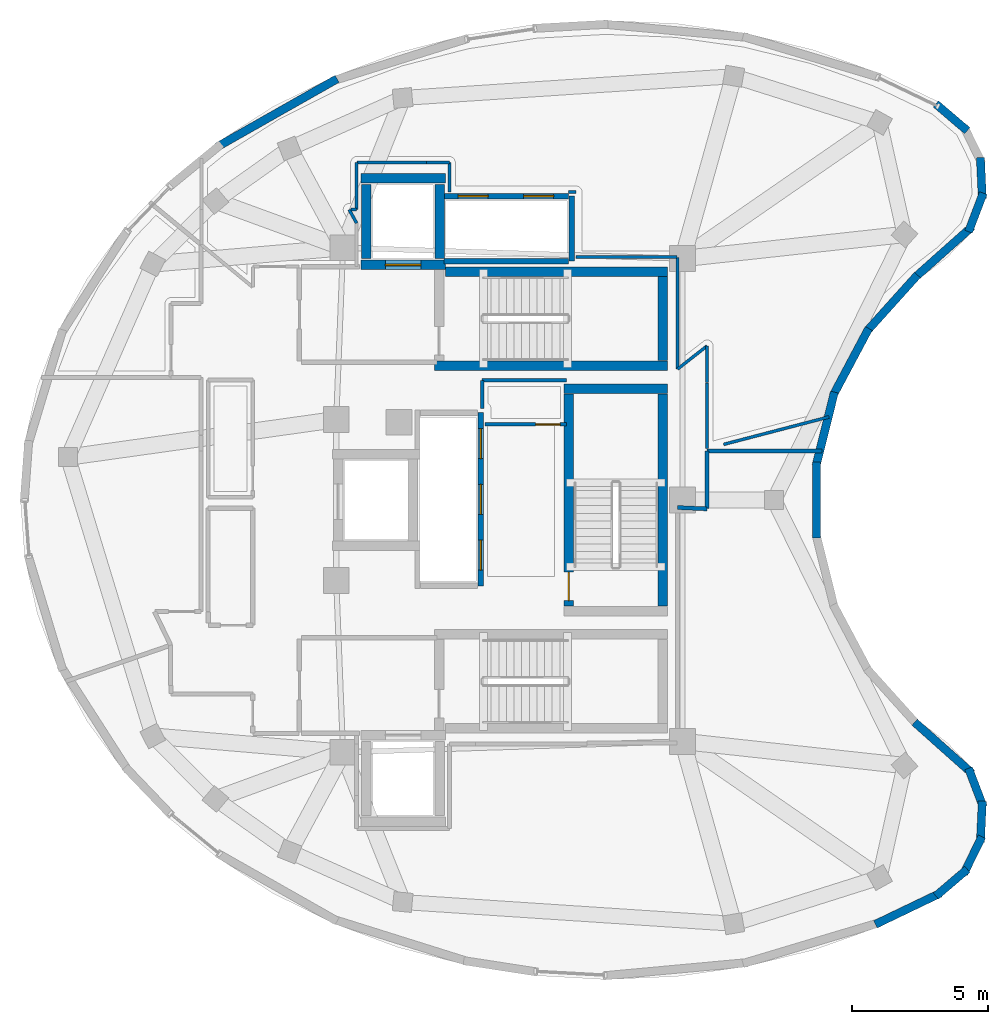
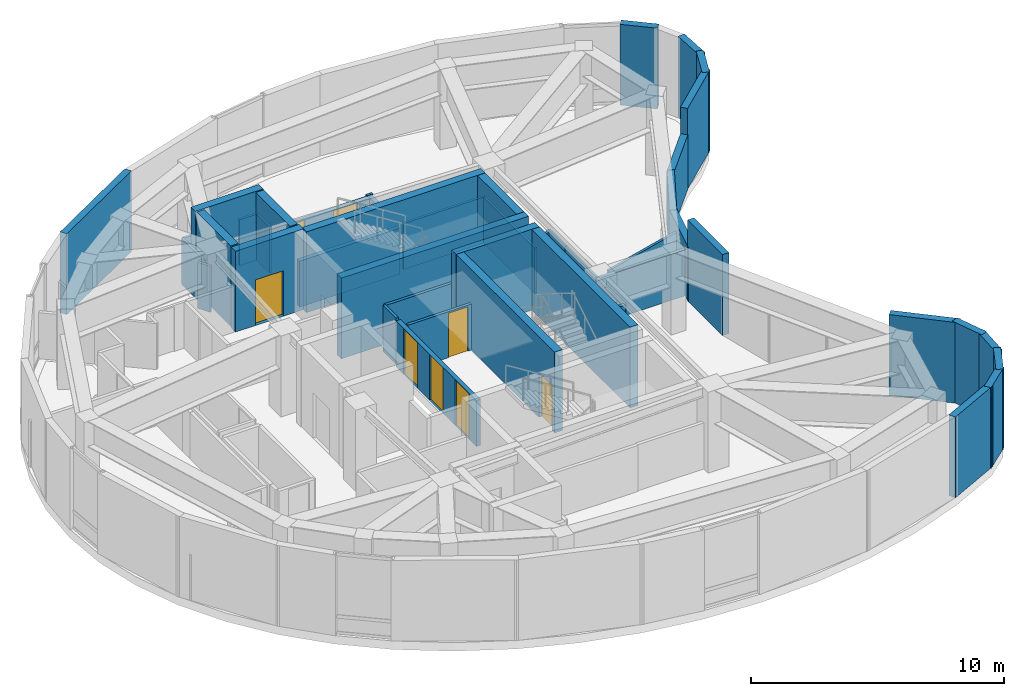
# One storey, part 5 of 8: 48 walls, 8 doors, 8 openings.
"""IFC4 building model written with IfcOpenShell, lengths in metres."""

from ifc_helpers import new_model, si_unit, direction, frame, frame_2d, origin, place, context, subcontext, project, spatial, rectangle, extrude, material, layer, layer_set, type_object, element, fill, save


model = new_model("IFC4")

# Units and contexts
model_context = context("Model", 3, precision=1e-05, world=origin(), true_north=direction((0.0, 1.0)))
body_context = subcontext(model_context, "Body", "Model", "MODEL_VIEW")
ifc_project = project(units=[si_unit("LENGTHUNIT", "METRE"), si_unit("AREAUNIT", "SQUARE_METRE"), si_unit("VOLUMEUNIT", "CUBIC_METRE"), si_unit("PLANEANGLEUNIT", "RADIAN"), si_unit("MASSUNIT", "GRAM", prefix="KILO")], contexts=[model_context])

# Site, building, storey
site_placement = place(None, origin())
site = spatial("IfcSite", under=ifc_project, at=site_placement, CompositionType="ELEMENT")
building_placement = place(site_placement, origin())
building = spatial("IfcBuilding", under=site, at=building_placement, Name="Korentha Bioscience Tower", CompositionType="ELEMENT")
storey_placement = place(building_placement, frame((0.0, 0.0, 322.800048828125)))
storey = spatial("IfcBuildingStorey", under=building, at=storey_placement, Name="L74", CompositionType="ELEMENT", Elevation=322.800048828125)

# Walls
ifc_material_1 = material(Name="Double-Stud Acoustic Gypsum", Category="gypsum")
ifc_layer_1 = layer(ifc_material_1, 0.14990234375, Name="Double-Stud Acoustic Gypsum")
ifc_layer_set_1 = layer_set([ifc_layer_1], Name="Double-Stud Acoustic Gypsum (IW-L150)")
wall_type_1 = type_object("IfcWallType", Name="Acoustic Laboratory Partition Wall 150", PredefinedType="PARTITIONING", material=ifc_layer_set_1)
wall_1_placement = place(storey_placement, frame((37.360107421875, 26.723876953125, 0.0), z_axis=(0.0, 0.0, 1.0), x_axis=(0.998993361773, -0.044858256029, 0.0)))
element("IfcWall", 1, at=wall_1_placement, inside=storey, type_object=wall_type_1, Name="L74 Interior Partition 033", PredefinedType="PARTITIONING", context=body_context, shape_type="SweptSolid", body=[
    extrude(rectangle(XDim=1.08837890625, YDim=0.14990234375, at=frame_2d((0.544189453125, 0.0))), origin(), (0.0, 0.0, 1.0), 2.219970703125),
])
wall_2_placement = place(storey_placement, frame((38.451904296875, 26.67919921875, 0.0), z_axis=(0.0, 0.0, 1.0), x_axis=(0.0, 1.0, 0.0)))
element("IfcWall", 2, at=wall_2_placement, inside=storey, type_object=wall_type_1, Name="L74 Interior Partition 034", PredefinedType="PARTITIONING", context=body_context, shape_type="SweptSolid", body=[
    extrude(rectangle(XDim=2.11865234375, YDim=0.14990234375, at=frame_2d((1.059326171875, 0.0))), origin(), (0.0, 0.0, 1.0), 2.219970703125),
])
wall_3_placement = place(storey_placement, frame((38.4521484375, 28.798095703125, 0.0), z_axis=(0.0, 0.0, 1.0), x_axis=(1.0, 0.0, 0.0)))
element("IfcWall", 3, at=wall_3_placement, inside=storey, type_object=wall_type_1, Name="L74 Interior Partition 035", PredefinedType="PARTITIONING", context=body_context, shape_type="SweptSolid", body=[
    extrude(rectangle(XDim=4.214599609375, YDim=0.14990234375, at=frame_2d((2.107421875, 0.0))), origin(), (0.0, 0.0, 1.0), 2.219970703125),
])
ifc_material_2 = material(Name="Fire-Rated Framed Glass", Category="glass")
ifc_layer_2 = layer(ifc_material_2, 0.110107421875, Name="Fire-Rated Framed Glass")
ifc_layer_set_2 = layer_set([ifc_layer_2], Name="Fire-Rated Framed Glass (IW-G110)")
wall_type_2 = type_object("IfcWallType", Name="Demountable Glazed Office Partition 110", PredefinedType="MOVABLE", material=ifc_layer_set_2)
wall_4_placement = place(storey_placement, frame((42.91748046875, 30.04638671875, 0.0), z_axis=(0.0, 0.0, 1.0), x_axis=(-0.967606885101, -0.252461711761, 0.0)))
element("IfcWall", 4, at=wall_4_placement, inside=storey, type_object=wall_type_2, Name="L74 Interior Partition 037", PredefinedType="MOVABLE", context=body_context, shape_type="SweptSolid", body=[
    extrude(rectangle(XDim=3.993896484375, YDim=0.110107421875, at=frame_2d((1.9970703125, 0.0))), origin(), (0.0, 0.0, 1.0), 2.219970703125),
])
wall_5_placement = place(storey_placement, frame((38.451904296875, 28.88134765625, 0.0), z_axis=(0.0, 0.0, 1.0), x_axis=(0.0, 1.0, 0.0)))
element("IfcWall", 5, at=wall_5_placement, inside=storey, type_object=wall_type_2, Name="L74 Interior Partition 038", PredefinedType="MOVABLE", context=body_context, shape_type="SweptSolid", body=[
    extrude(rectangle(XDim=2.41650390625, YDim=0.110107421875, at=frame_2d((1.208251953125, 0.0))), origin(), (0.0, 0.0, 1.0), 2.219970703125),
])
wall_6_placement = place(storey_placement, frame((38.451904296875, 31.30224609375, 0.0), z_axis=(0.0, 0.0, 1.0), x_axis=(0.0, 1.0, 0.0)))
element("IfcWall", 6, at=wall_6_placement, inside=storey, type_object=wall_type_2, Name="L74 Interior Partition 039", PredefinedType="MOVABLE", context=body_context, shape_type="SweptSolid", body=[
    extrude(rectangle(XDim=1.34228515625, YDim=0.110107421875, at=frame_2d((0.671142578125, 0.0))), origin(), (0.0, 0.0, 1.0), 2.219970703125),
])
wall_7_placement = place(storey_placement, frame((38.4453125, 32.647705078125, 0.0), z_axis=(0.0, 0.0, 1.0), x_axis=(-0.786791054692, -0.617219439305, 0.0)))
element("IfcWall", 7, at=wall_7_placement, inside=storey, type_object=wall_type_2, Name="L74 Interior Partition 040", PredefinedType="MOVABLE", context=body_context, shape_type="SweptSolid", body=[
    extrude(rectangle(XDim=1.37939453125, YDim=0.110107421875, at=frame_2d((0.689697265625, 0.0))), origin(), (0.0, 0.0, 1.0), 2.219970703125),
])
wall_8_placement = place(storey_placement, frame((37.360107421875, 31.79638671875, 0.0), z_axis=(0.0, 0.0, 1.0), x_axis=(0.0, 1.0, 0.0)))
element("IfcWall", 8, at=wall_8_placement, inside=storey, type_object=wall_type_2, Name="L74 Interior Partition 041", PredefinedType="MOVABLE", context=body_context, shape_type="SweptSolid", body=[
    extrude(rectangle(XDim=4.103515625, YDim=0.110107421875, at=frame_2d((2.0517578125, 0.0))), origin(), (0.0, 0.0, 1.0), 2.219970703125),
])
wall_9_placement = place(storey_placement, frame((37.35009765625, 35.909912109375, 0.0), z_axis=(0.0, 0.0, 1.0), x_axis=(-1.0, 0.0, 0.0)))
element("IfcWall", 9, at=wall_9_placement, inside=storey, type_object=wall_type_2, Name="L74 Interior Partition 042", PredefinedType="MOVABLE", context=body_context, shape_type="SweptSolid", body=[
    extrude(rectangle(XDim=3.7001953125, YDim=0.110107421875, at=frame_2d((1.85009765625, 0.0))), origin(), (0.0, 0.0, 1.0), 2.219970703125),
])
wall_10_placement = place(storey_placement, frame((33.639892578125, 38.300048828125, 0.0), z_axis=(0.0, 0.0, 1.0), x_axis=(-1.0, 0.0, 0.0)))
element("IfcWall", 10, at=wall_10_placement, inside=storey, type_object=wall_type_2, Name="L74 Interior Partition 043", PredefinedType="MOVABLE", context=body_context, shape_type="SweptSolid", body=[
    extrude(rectangle(XDim=0.269775390625, YDim=0.110107421875, at=frame_2d((0.134765625, 0.0))), origin(), (0.0, 0.0, 1.0), 2.219970703125),
])
wall_11_placement = place(storey_placement, frame((29.0, 38.300048828125, 0.0), z_axis=(0.0, 0.0, 1.0), x_axis=(0.0, 1.0, 0.0)))
element("IfcWall", 11, at=wall_11_placement, inside=storey, type_object=wall_type_2, Name="L74 Interior Partition 044", PredefinedType="MOVABLE", context=body_context, shape_type="SweptSolid", body=[
    extrude(rectangle(XDim=1.075927734375, YDim=0.110107421875, at=frame_2d((0.5380859375, 0.0))), origin(), (0.0, 0.0, 1.0), 2.219970703125),
])
wall_12_placement = place(storey_placement, frame((28.995849609375, 39.3798828125, 0.0), z_axis=(0.0, 0.0, 1.0), x_axis=(-1.0, 0.0, 0.0)))
element("IfcWall", 12, at=wall_12_placement, inside=storey, type_object=wall_type_2, Name="L74 Interior Partition 045", PredefinedType="MOVABLE", context=body_context, shape_type="SweptSolid", body=[
    extrude(rectangle(XDim=0.83056640625, YDim=0.110107421875, at=frame_2d((0.415283203125, 0.0))), origin(), (0.0, 0.0, 1.0), 2.219970703125),
])
wall_13_placement = place(storey_placement, frame((28.160888671875, 39.3798828125, 0.0), z_axis=(0.0, 0.0, 1.0), x_axis=(-1.0, 0.0, 0.0)))
element("IfcWall", 13, at=wall_13_placement, inside=storey, type_object=wall_type_2, Name="L74 Interior Partition 046", PredefinedType="MOVABLE", context=body_context, shape_type="SweptSolid", body=[
    extrude(rectangle(XDim=2.556884765625, YDim=0.110107421875, at=frame_2d((1.2783203125, 0.0))), origin(), (0.0, 0.0, 1.0), 2.219970703125),
])
wall_14_placement = place(storey_placement, frame((25.60009765625, 39.3759765625, 0.0), z_axis=(0.0, 0.0, 1.0), x_axis=(0.0, -1.0, 0.0)))
element("IfcWall", 14, at=wall_14_placement, inside=storey, type_object=wall_type_2, Name="L74 Interior Partition 047", PredefinedType="MOVABLE", context=body_context, shape_type="SweptSolid", body=[
    extrude(rectangle(XDim=1.723876953125, YDim=0.110107421875, at=frame_2d((0.86181640625, 0.0))), origin(), (0.0, 0.0, 1.0), 2.219970703125),
])
wall_15_placement = place(storey_placement, frame((25.599853515625, 37.652099609375, 0.0), z_axis=(0.0, 0.0, 1.0), x_axis=(-1.0, 0.0, 0.0)))
element("IfcWall", 15, at=wall_15_placement, inside=storey, type_object=wall_type_2, Name="L74 Interior Partition 048", PredefinedType="MOVABLE", context=body_context, shape_type="SweptSolid", body=[
    extrude(rectangle(XDim=0.213134765625, YDim=0.110107421875, at=frame_2d((0.1064453125, 0.0))), origin(), (0.0, 0.0, 1.0), 2.219970703125),
])
wall_16_placement = place(storey_placement, frame((25.32373046875, 37.64599609375, 0.0), z_axis=(0.0, 0.0, 1.0), x_axis=(0.486336466737, -0.8737716184, 0.0)))
element("IfcWall", 16, at=wall_16_placement, inside=storey, type_object=wall_type_2, Name="L74 Interior Partition 049", PredefinedType="MOVABLE", context=body_context, shape_type="SweptSolid", body=[
    extrude(rectangle(XDim=0.56787109375, YDim=0.110107421875, at=frame_2d((0.283935546875, 0.0))), origin(), (0.0, 0.0, 1.0), 2.219970703125),
])
ifc_material_3 = material(Name="Honed Limestone Precast Concrete C40", Category="masonry")
ifc_layer_3 = layer(ifc_material_3, 0.300048828125, Name="Honed Limestone Precast Concrete C40")
ifc_layer_set_3 = layer_set([ifc_layer_3], Name="Honed Limestone Precast Concrete C40 (EW-ST300)")
wall_type_3 = type_object("IfcWallType", Name="Honed Limestone Cavity Spandrel Wall 300", PredefinedType="STANDARD", material=ifc_layer_set_3)
wall_17_placement = place(storey_placement, frame((24.8828125, 42.441650390625, 0.0), z_axis=(0.0, 0.0, 1.0), x_axis=(-0.869895003659, -0.493236943679, 0.0)))
element("IfcWall", 17, at=wall_17_placement, inside=storey, type_object=wall_type_3, Name="L74 Limestone Perimeter Closure Wall 10", PredefinedType="STANDARD", context=body_context, shape_type="SweptSolid", body=[
    extrude(rectangle(XDim=5.05126953125, YDim=0.300048828125, at=frame_2d((2.525634765625, 0.0))), origin(), (0.0, 0.0, 1.0), 3.89990234375),
])
wall_18_placement = place(storey_placement, frame((44.61767578125, 11.44140625, 0.0), z_axis=(0.0, 0.0, 1.0), x_axis=(0.901518731497, 0.43274007991, 0.0)))
element("IfcWall", 18, at=wall_18_placement, inside=storey, type_object=wall_type_3, Name="L74 Limestone Perimeter Closure Wall 36", PredefinedType="STANDARD", context=body_context, shape_type="SweptSolid", body=[
    extrude(rectangle(XDim=2.64208984375, YDim=0.300048828125, at=frame_2d((1.321044921875, 0.0))), origin(), (0.0, 0.0, 1.0), 3.89990234375),
])
wall_19_placement = place(storey_placement, frame((46.836181640625, 12.478515625, 0.0), z_axis=(0.0, 0.0, 1.0), x_axis=(0.760836293276, 0.64894386108, 0.0)))
element("IfcWall", 19, at=wall_19_placement, inside=storey, type_object=wall_type_3, Name="L74 Limestone Perimeter Closure Wall 37", PredefinedType="STANDARD", context=body_context, shape_type="SweptSolid", body=[
    extrude(rectangle(XDim=1.51416015625, YDim=0.300048828125, at=frame_2d((0.757080078125, 0.0))), origin(), (0.0, 0.0, 1.0), 3.89990234375),
])
for number, where, z_axis, x_axis, name in (
    (20, (47.857421875, 13.29248046875, 0.0), (0.0, 0.0, 1.0), (0.439652491549, 0.898167961283, 0.0), "L74 Limestone Perimeter Closure Wall 38"),
    (21, (48.47021484375, 14.44580078125, 0.0), (0.0, 0.0, 1.0), (0.045948834963, 0.998943794498, 0.0), "L74 Limestone Perimeter Closure Wall 39"),
    (22, (48.573486328125, 15.74755859375, 0.0), (0.0, 0.0, 1.0), (-0.35546567517, 0.934689335435, 0.0), "L74 Limestone Perimeter Closure Wall 40"),
):
    element("IfcWall", number, at=place(storey_placement, frame(where, z_axis=z_axis, x_axis=x_axis)), inside=storey, type_object=wall_type_3, Name=name, PredefinedType="STANDARD", context=body_context, shape_type="SweptSolid", body=[
        extrude(rectangle(XDim=1.514404296875, YDim=0.300048828125, at=frame_2d((0.75732421875, 0.0))), origin(), (0.0, 0.0, 1.0), 3.89990234375),
    ])
wall_20_placement = place(storey_placement, frame((48.160888671875, 16.980224609375, 0.0), z_axis=(0.0, 0.0, 1.0), x_axis=(-0.74683044211, 0.665014504156, 0.0)))
element("IfcWall", 23, at=wall_20_placement, inside=storey, type_object=wall_type_3, Name="L74 Limestone Perimeter Closure Wall 41", PredefinedType="STANDARD", context=body_context, shape_type="SweptSolid", body=[
    extrude(rectangle(XDim=2.81689453125, YDim=0.300048828125, at=frame_2d((1.408447265625, 0.0))), origin(), (0.0, 0.0, 1.0), 3.89990234375),
])
wall_21_placement = place(storey_placement, frame((42.460693359375, 25.61279296875, 0.0), z_axis=(0.0, 0.0, 1.0), x_axis=(0.0, 1.0, 0.0)))
element("IfcWall", 24, at=wall_21_placement, inside=storey, type_object=wall_type_3, Name="L74 Limestone Perimeter Closure Wall 49", PredefinedType="STANDARD", context=body_context, shape_type="SweptSolid", body=[
    extrude(rectangle(XDim=2.7744140625, YDim=0.300048828125, at=frame_2d((1.38720703125, 0.0))), origin(), (0.0, 0.0, 1.0), 3.89990234375),
])
wall_22_placement = place(storey_placement, frame((42.445556640625, 28.263427734375, 0.0), z_axis=(0.0, 0.0, 1.0), x_axis=(0.241914392704, 0.970297596927, 0.0)))
element("IfcWall", 25, at=wall_22_placement, inside=storey, type_object=wall_type_3, Name="L74 Limestone Perimeter Closure Wall 51", PredefinedType="STANDARD", context=body_context, shape_type="SweptSolid", body=[
    extrude(rectangle(XDim=2.7744140625, YDim=0.300048828125, at=frame_2d((1.38720703125, 0.0))), origin(), (0.0, 0.0, 1.0), 2.625),
])
wall_23_placement = place(storey_placement, frame((43.072021484375, 30.839111328125, 0.0), z_axis=(0.0, 0.0, 1.0), x_axis=(0.469496211135, 0.882934486658, 0.0)))
element("IfcWall", 26, at=wall_23_placement, inside=storey, type_object=wall_type_3, Name="L74 Limestone Perimeter Closure Wall 53", PredefinedType="STANDARD", context=body_context, shape_type="SweptSolid", body=[
    extrude(rectangle(XDim=2.774169921875, YDim=0.300048828125, at=frame_2d((1.38720703125, 0.0))), origin(), (0.0, 0.0, 1.0), 2.625),
])
wall_24_placement = place(storey_placement, frame((44.302978515625, 33.186279296875, 0.0), z_axis=(0.0, 0.0, 1.0), x_axis=(0.669091119289, 0.743180377895, 0.0)))
element("IfcWall", 27, at=wall_24_placement, inside=storey, type_object=wall_type_3, Name="L74 Limestone Perimeter Closure Wall 55", PredefinedType="STANDARD", context=body_context, shape_type="SweptSolid", body=[
    extrude(rectangle(XDim=2.774658203125, YDim=0.300048828125, at=frame_2d((1.38720703125, 0.0))), origin(), (0.0, 0.0, 1.0), 2.625),
])
wall_25_placement = place(storey_placement, frame((46.05712890625, 35.146484375, 0.0), z_axis=(0.0, 0.0, 1.0), x_axis=(0.74683044211, 0.665014504156, 0.0)))
element("IfcWall", 28, at=wall_25_placement, inside=storey, type_object=wall_type_3, Name="L74 Limestone Perimeter Closure Wall 57", PredefinedType="STANDARD", context=body_context, shape_type="SweptSolid", body=[
    extrude(rectangle(XDim=2.81689453125, YDim=0.300048828125, at=frame_2d((1.408447265625, 0.0))), origin(), (0.0, 0.0, 1.0), 3.89990234375),
])
for number, where, z_axis, x_axis, name in (
    (29, (48.03515625, 36.8369140625, 0.0), (0.0, 0.0, 1.0), (0.35546567517, 0.934689335435, 0.0), "L74 Limestone Perimeter Closure Wall 59"),
    (30, (48.539794921875, 38.04150390625, 0.0), (0.0, 0.0, 1.0), (-0.045948834963, 0.998943794498, 0.0), "L74 Limestone Perimeter Closure Wall 60"),
):
    element("IfcWall", number, at=place(storey_placement, frame(where, z_axis=z_axis, x_axis=x_axis)), inside=storey, type_object=wall_type_3, Name=name, PredefinedType="STANDARD", context=body_context, shape_type="SweptSolid", body=[
        extrude(rectangle(XDim=1.514404296875, YDim=0.300048828125, at=frame_2d((0.75732421875, 0.0))), origin(), (0.0, 0.0, 1.0), 3.89990234375),
    ])
wall_26_placement = place(storey_placement, frame((47.98828125, 40.538818359375, 0.0), z_axis=(0.0, 0.0, 1.0), x_axis=(-0.760836293276, 0.64894386108, 0.0)))
element("IfcWall", 31, at=wall_26_placement, inside=storey, type_object=wall_type_3, Name="L74 Limestone Perimeter Closure Wall 62", PredefinedType="STANDARD", context=body_context, shape_type="SweptSolid", body=[
    extrude(rectangle(XDim=1.51416015625, YDim=0.300048828125, at=frame_2d((0.757080078125, 0.0))), origin(), (0.0, 0.0, 1.0), 3.89990234375),
])

# Wall, openings, doors
ifc_material_4 = material(Name="Autoclaved Aerated Concrete Block C25", Category="concrete")
ifc_layer_4 = layer(ifc_material_4, 0.199951171875, Name="Autoclaved Aerated Concrete Block C25")
ifc_layer_set_4 = layer_set([ifc_layer_4], Name="Autoclaved Aerated Concrete Block C25 (IW-S200)")
wall_type_4 = type_object("IfcWallType", Name="Lift and Riser Shaft Enclosure Wall 200", PredefinedType="PARTITIONING", material=ifc_layer_set_4)
wall_27_placement = place(storey_placement, frame((30.14990234375, 23.85009765625, 0.0), z_axis=(0.0, 0.0, 1.0), x_axis=(0.0, 1.0, 0.0)))
wall_27 = element("IfcWall", 32, at=wall_27_placement, inside=storey, type_object=wall_type_4, Name="L74 Lift Bank HIGH Shaft Wall +X", PredefinedType="PARTITIONING", context=body_context, shape_type="SweptSolid", body=[
    extrude(rectangle(XDim=6.349853515625, YDim=0.199951171875, at=frame_2d((3.1748046875, 0.0))), origin(), (0.0, 0.0, 1.0), 2.219970703125),
])
opening_1_placement = place(wall_27_placement, frame((0.580078125, 0.0, 0.0)))
opening_1 = element("IfcOpeningElement", 33, at=opening_1_placement, cuts=wall_27, Name="Opening LD-11", PredefinedType="OPENING", context=body_context, shape_type="SweptSolid", body=[
    extrude(rectangle(XDim=1.10009765625, YDim=2.199951171875, at=frame_2d((0.550048828125, 1.10009765625))), frame((0.0, 0.11474609375, 0.0), z_axis=(0.0, -1.0, 0.0), x_axis=(1.0, 0.0, 0.0)), (0.0, 0.0, 1.0), 0.229736328125),
])
opening_2_placement = place(wall_27_placement, frame((2.6201171875, 0.0, 0.0)))
opening_2 = element("IfcOpeningElement", 34, at=opening_2_placement, cuts=wall_27, Name="Opening LD-11", PredefinedType="OPENING", context=body_context, shape_type="SweptSolid", body=[
    extrude(rectangle(XDim=1.10009765625, YDim=2.199951171875, at=frame_2d((0.550048828125, 1.10009765625))), frame((0.0, 0.11474609375, 0.0), z_axis=(0.0, -1.0, 0.0), x_axis=(1.0, 0.0, 0.0)), (0.0, 0.0, 1.0), 0.229736328125),
])
opening_3_placement = place(wall_27_placement, frame((4.669921875, 0.0, 0.0)))
opening_3 = element("IfcOpeningElement", 35, at=opening_3_placement, cuts=wall_27, Name="Opening LD-11", PredefinedType="OPENING", context=body_context, shape_type="SweptSolid", body=[
    extrude(rectangle(XDim=1.10009765625, YDim=2.199951171875, at=frame_2d((0.550048828125, 1.10009765625))), frame((0.0, 0.11474609375, 0.0), z_axis=(0.0, -1.0, 0.0), x_axis=(1.0, 0.0, 0.0)), (0.0, 0.0, 1.0), 0.229736328125),
])
ifc_material_5 = material(Name="Brushed Stainless Steel 304", Category="steel")
door_type_1 = type_object("IfcDoorType", Name="Passenger Lift Sliding Landing Door 1100x2200", OperationType="DOUBLE_DOOR_SLIDING", PredefinedType="DOOR", material=ifc_material_5)
door_1_placement = place(opening_1_placement, origin())
door_1 = element("IfcDoor", 36, at=door_1_placement, inside=storey, type_object=door_type_1, Name="L74 PL-H1 Sliding Lift Landing Door", OperationType="DOUBLE_DOOR_SLIDING", OverallHeight=2.199951171875, OverallWidth=1.10009765625, PredefinedType="DOOR", context=body_context, shape_type="SweptSolid", body=[
    extrude(rectangle(XDim=1.10009765625, YDim=2.199951171875, at=frame_2d((0.550048828125, 1.10009765625))), frame((0.0, 0.02490234375, 0.0), z_axis=(0.0, -1.0, 0.0), x_axis=(1.0, 0.0, 0.0)), (0.0, 0.0, 1.0), 0.050048828125),
])
fill(opening_1, door_1)
door_2_placement = place(opening_2_placement, origin())
door_2 = element("IfcDoor", 37, at=door_2_placement, inside=storey, type_object=door_type_1, Name="L74 PL-H2 Sliding Lift Landing Door", OperationType="DOUBLE_DOOR_SLIDING", OverallHeight=2.199951171875, OverallWidth=1.10009765625, PredefinedType="DOOR", context=body_context, shape_type="SweptSolid", body=[
    extrude(rectangle(XDim=1.10009765625, YDim=2.199951171875, at=frame_2d((0.550048828125, 1.10009765625))), frame((0.0, 0.02490234375, 0.0), z_axis=(0.0, -1.0, 0.0), x_axis=(1.0, 0.0, 0.0)), (0.0, 0.0, 1.0), 0.050048828125),
])
fill(opening_2, door_2)
door_3_placement = place(opening_3_placement, origin())
door_3 = element("IfcDoor", 38, at=door_3_placement, inside=storey, type_object=door_type_1, Name="L74 PL-H3 Sliding Lift Landing Door", OperationType="DOUBLE_DOOR_SLIDING", OverallHeight=2.199951171875, OverallWidth=1.10009765625, PredefinedType="DOOR", context=body_context, shape_type="SweptSolid", body=[
    extrude(rectangle(XDim=1.10009765625, YDim=2.199951171875, at=frame_2d((0.550048828125, 1.10009765625))), frame((0.0, 0.02490234375, 0.0), z_axis=(0.0, -1.0, 0.0), x_axis=(1.0, 0.0, 0.0)), (0.0, 0.0, 1.0), 0.050048828125),
])
fill(opening_3, door_3)

# Walls
wall_28_placement = place(storey_placement, frame((33.489990234375, 35.760009765625, 0.0), z_axis=(0.0, 0.0, 1.0), x_axis=(0.0, 1.0, 0.0)))
element("IfcWall", 39, at=wall_28_placement, inside=storey, type_object=wall_type_4, Name="L74 Lift Bank OBS Shaft Wall +X", PredefinedType="PARTITIONING", context=body_context, shape_type="SweptSolid", body=[
    extrude(rectangle(XDim=2.3798828125, YDim=0.199951171875, at=frame_2d((1.18994140625, 0.0))), origin(), (0.0, 0.0, 1.0), 2.219970703125),
])
wall_29_placement = place(storey_placement, frame((28.800048828125, 35.760009765625, 0.0), z_axis=(0.0, 0.0, 1.0), x_axis=(1.0, 0.0, 0.0)))
element("IfcWall", 40, at=wall_29_placement, inside=storey, type_object=wall_type_4, Name="L74 Lift Bank OBS Shaft Wall -Y", PredefinedType="PARTITIONING", context=body_context, shape_type="SweptSolid", body=[
    extrude(rectangle(XDim=4.570068359375, YDim=0.199951171875, at=frame_2d((2.28515625, 0.0))), origin(), (0.0, 0.0, 1.0), 2.219970703125),
])

# Wall, openings, doors
wall_30_placement = place(storey_placement, frame((28.800048828125, 38.139892578125, 0.0), z_axis=(0.0, 0.0, 1.0), x_axis=(1.0, 0.0, 0.0)))
wall_30 = element("IfcWall", 41, at=wall_30_placement, inside=storey, type_object=wall_type_4, Name="L74 Lift Bank OBS Shaft Wall +Y", PredefinedType="PARTITIONING", context=body_context, shape_type="SweptSolid", body=[
    extrude(rectangle(XDim=4.570068359375, YDim=0.199951171875, at=frame_2d((2.28515625, 0.0))), origin(), (0.0, 0.0, 1.0), 2.219970703125),
])
opening_4_placement = place(wall_30_placement, frame((0.52001953125, 0.0, 0.0)))
opening_4 = element("IfcOpeningElement", 42, at=opening_4_placement, cuts=wall_30, Name="Opening LD-11", PredefinedType="OPENING", context=body_context, shape_type="SweptSolid", body=[
    extrude(rectangle(XDim=1.10009765625, YDim=2.199951171875, at=frame_2d((0.550048828125, 1.10009765625))), frame((0.0, 0.11474609375, 0.0), z_axis=(0.0, -1.0, 0.0), x_axis=(1.0, 0.0, 0.0)), (0.0, 0.0, 1.0), 0.229736328125),
])
opening_5_placement = place(wall_30_placement, frame((2.919921875, 0.0, 0.0)))
opening_5 = element("IfcOpeningElement", 43, at=opening_5_placement, cuts=wall_30, Name="Opening LD-11", PredefinedType="OPENING", context=body_context, shape_type="SweptSolid", body=[
    extrude(rectangle(XDim=1.10009765625, YDim=2.199951171875, at=frame_2d((0.550048828125, 1.10009765625))), frame((0.0, 0.11474609375, 0.0), z_axis=(0.0, -1.0, 0.0), x_axis=(1.0, 0.0, 0.0)), (0.0, 0.0, 1.0), 0.229736328125),
])
door_4_placement = place(opening_4_placement, origin())
door_4 = element("IfcDoor", 44, at=door_4_placement, inside=storey, type_object=door_type_1, Name="L74 PL-X1 Sliding Lift Landing Door", OperationType="DOUBLE_DOOR_SLIDING", OverallHeight=2.199951171875, OverallWidth=1.10009765625, PredefinedType="DOOR", context=body_context, shape_type="SweptSolid", body=[
    extrude(rectangle(XDim=1.10009765625, YDim=2.199951171875, at=frame_2d((0.550048828125, 1.10009765625))), frame((0.0, 0.02490234375, 0.0), z_axis=(0.0, -1.0, 0.0), x_axis=(1.0, 0.0, 0.0)), (0.0, 0.0, 1.0), 0.050048828125),
])
fill(opening_4, door_4)
door_5_placement = place(opening_5_placement, origin())
door_5 = element("IfcDoor", 45, at=door_5_placement, inside=storey, type_object=door_type_1, Name="L74 PL-X2 Sliding Lift Landing Door", OperationType="DOUBLE_DOOR_SLIDING", OverallHeight=2.199951171875, OverallWidth=1.10009765625, PredefinedType="DOOR", context=body_context, shape_type="SweptSolid", body=[
    extrude(rectangle(XDim=1.10009765625, YDim=2.199951171875, at=frame_2d((0.550048828125, 1.10009765625))), frame((0.0, 0.02490234375, 0.0), z_axis=(0.0, -1.0, 0.0), x_axis=(1.0, 0.0, 0.0)), (0.0, 0.0, 1.0), 0.050048828125),
])
fill(opening_5, door_5)

# Walls
ifc_material_6 = material(Name="Concrete C50", Category="concrete")
ifc_layer_5 = layer(ifc_material_6, 0.35009765625, Name="Concrete C50")
ifc_layer_set_5 = layer_set([ifc_layer_5], Name="Concrete C50 (CW-C50)")
wall_type_5 = type_object("IfcWallType", Name="Upper Core Shear Wall 350", PredefinedType="SHEAR", material=ifc_layer_set_5)
wall_31_placement = place(storey_placement, frame((28.85205078125, 35.375, 0.0), z_axis=(0.0, 0.0, 1.0), x_axis=(1.0, 0.0, 0.0)))
element("IfcWall", 46, at=wall_31_placement, inside=storey, type_object=wall_type_5, Name="L74 Core Shear Wall ST1-N", PredefinedType="SHEAR", context=body_context, shape_type="SweptSolid", body=[
    extrude(rectangle(XDim=8.14794921875, YDim=0.35009765625, at=frame_2d((4.073974609375, 0.0))), origin(), (0.0, 0.0, 1.0), 3.89990234375),
])
wall_32_placement = place(storey_placement, frame((28.449951171875, 31.925048828125, 0.0), z_axis=(0.0, 0.0, 1.0), x_axis=(1.0, 0.0, 0.0)))
element("IfcWall", 47, at=wall_32_placement, inside=storey, type_object=wall_type_5, Name="L74 Core Shear Wall ST1-S", PredefinedType="SHEAR", context=body_context, shape_type="SweptSolid", body=[
    extrude(rectangle(XDim=8.550048828125, YDim=0.35009765625, at=frame_2d((4.27490234375, 0.0))), origin(), (0.0, 0.0, 1.0), 3.89990234375),
])
wall_33_placement = place(storey_placement, frame((36.824951171875, 32.110107421875, 0.0), z_axis=(0.0, 0.0, 1.0), x_axis=(0.0, 1.0, 0.0)))
element("IfcWall", 48, at=wall_33_placement, inside=storey, type_object=wall_type_5, Name="L74 Core Shear Wall ST1-E", PredefinedType="SHEAR", context=body_context, shape_type="SweptSolid", body=[
    extrude(rectangle(XDim=3.079833984375, YDim=0.35009765625, at=frame_2d((1.5400390625, 0.0))), origin(), (0.0, 0.0, 1.0), 3.89990234375),
])
wall_34_placement = place(storey_placement, frame((33.199951171875, 31.074951171875, 0.0), z_axis=(0.0, 0.0, 1.0), x_axis=(1.0, 0.0, 0.0)))
element("IfcWall", 49, at=wall_34_placement, inside=storey, type_object=wall_type_5, Name="L74 Core Shear Wall ST3-N", PredefinedType="SHEAR", context=body_context, shape_type="SweptSolid", body=[
    extrude(rectangle(XDim=3.800048828125, YDim=0.35009765625, at=frame_2d((1.89990234375, 0.0))), origin(), (0.0, 0.0, 1.0), 3.89990234375),
])
wall_35_placement = place(storey_placement, frame((36.824951171875, 23.110107421875, 0.0), z_axis=(0.0, 0.0, 1.0), x_axis=(0.0, 1.0, 0.0)))
element("IfcWall", 50, at=wall_35_placement, inside=storey, type_object=wall_type_5, Name="L74 Core Shear Wall ST3-E", PredefinedType="SHEAR", context=body_context, shape_type="SweptSolid", body=[
    extrude(rectangle(XDim=7.77978515625, YDim=0.35009765625, at=frame_2d((3.889892578125, 0.0))), origin(), (0.0, 0.0, 1.0), 3.89990234375),
])

# Wall, opening, door
wall_36_placement = place(storey_placement, frame((33.375, 23.110107421875, 0.0), z_axis=(0.0, 0.0, 1.0), x_axis=(0.0, 1.0, 0.0)))
wall_36 = element("IfcWall", 51, at=wall_36_placement, inside=storey, type_object=wall_type_5, Name="L74 Core Shear Wall ST3-W", PredefinedType="SHEAR", context=body_context, shape_type="SweptSolid", body=[
    extrude(rectangle(XDim=7.77978515625, YDim=0.35009765625, at=frame_2d((3.889892578125, 0.0))), origin(), (0.0, 0.0, 1.0), 3.89990234375),
])
opening_6_placement = place(wall_36_placement, frame((0.199951171875, 0.0, 0.0)))
opening_6 = element("IfcOpeningElement", 52, at=opening_6_placement, cuts=wall_36, Name="Opening FD-90L", PredefinedType="OPENING", context=body_context, shape_type="SweptSolid", body=[
    extrude(rectangle(XDim=1.050048828125, YDim=2.14990234375, at=frame_2d((0.52490234375, 1.074951171875))), frame((0.0, 0.18994140625, 0.0), z_axis=(0.0, -1.0, 0.0), x_axis=(1.0, 0.0, 0.0)), (0.0, 0.0, 1.0), 0.3798828125),
])
ifc_material_7 = material(Name="Powder-Coated Fire-Rated Steel", Category="steel")
door_type_2 = type_object("IfcDoorType", Name="Stairwell Fire Exit Door 1050x2150 Left", OperationType="SINGLE_SWING_LEFT", PredefinedType="DOOR", material=ifc_material_7)
door_6_placement = place(opening_6_placement, origin())
door_6 = element("IfcDoor", 53, at=door_6_placement, inside=storey, type_object=door_type_2, Name="L74 ST-3 Fire Exit Stair Door", OperationType="SINGLE_SWING_LEFT", OverallHeight=2.14990234375, OverallWidth=1.050048828125, PredefinedType="DOOR", context=body_context, shape_type="SweptSolid", body=[
    extrude(rectangle(XDim=1.050048828125, YDim=2.14990234375, at=frame_2d((0.52490234375, 1.074951171875))), frame((0.0, 0.02490234375, 0.0), z_axis=(0.0, -1.0, 0.0), x_axis=(1.0, 0.0, 0.0)), (0.0, 0.0, 1.0), 0.050048828125),
])
fill(opening_6, door_6)

# Wall
wall_37_placement = place(storey_placement, frame((25.75, 38.800048828125, 0.0), z_axis=(0.0, 0.0, 1.0), x_axis=(1.0, 0.0, 0.0)))
element("IfcWall", 54, at=wall_37_placement, inside=storey, type_object=wall_type_5, Name="L74 Core Shear Wall FFL2-N", PredefinedType="SHEAR", context=body_context, shape_type="SweptSolid", body=[
    extrude(rectangle(XDim=3.10009765625, YDim=0.35009765625, at=frame_2d((1.550048828125, 0.0))), origin(), (0.0, 0.0, 1.0), 3.89990234375),
])

# Wall, opening, door
wall_38_placement = place(storey_placement, frame((25.75, 35.6201171875, 0.0), z_axis=(0.0, 0.0, 1.0), x_axis=(1.0, 0.0, 0.0)))
wall_38 = element("IfcWall", 55, at=wall_38_placement, inside=storey, type_object=wall_type_5, Name="L74 Core Shear Wall FFL2-S", PredefinedType="SHEAR", context=body_context, shape_type="SweptSolid", body=[
    extrude(rectangle(XDim=3.10009765625, YDim=0.35009765625, at=frame_2d((1.550048828125, 0.0))), origin(), (0.0, 0.0, 1.0), 3.89990234375),
])
opening_7_placement = place(wall_38_placement, frame((0.89990234375, 0.0, 0.0)))
opening_7 = element("IfcOpeningElement", 56, at=opening_7_placement, cuts=wall_38, Name="Opening LD-13", PredefinedType="OPENING", context=body_context, shape_type="SweptSolid", body=[
    extrude(rectangle(XDim=1.300048828125, YDim=2.199951171875, at=frame_2d((0.64990234375, 1.10009765625))), frame((0.0, 0.18994140625, 0.0), z_axis=(0.0, -1.0, 0.0), x_axis=(1.0, 0.0, 0.0)), (0.0, 0.0, 1.0), 0.3798828125),
])
ifc_material_8 = material(Name="Brushed Stainless Steel 316", Category="steel")
door_type_3 = type_object("IfcDoorType", Name="Service & Firefighting Lift Landing Door 1300x2300", OperationType="DOUBLE_DOOR_SLIDING", PredefinedType="DOOR", material=ifc_material_8)
door_7_placement = place(opening_7_placement, origin())
door_7 = element("IfcDoor", 57, at=door_7_placement, inside=storey, type_object=door_type_3, Name="L74 FFL-2 Sliding Lift Landing Door", OperationType="DOUBLE_DOOR_SLIDING", OverallHeight=2.199951171875, OverallWidth=1.300048828125, PredefinedType="DOOR", context=body_context, shape_type="SweptSolid", body=[
    extrude(rectangle(XDim=1.300048828125, YDim=2.199951171875, at=frame_2d((0.64990234375, 1.10009765625))), frame((0.0, 0.02490234375, 0.0), z_axis=(0.0, -1.0, 0.0), x_axis=(1.0, 0.0, 0.0)), (0.0, 0.0, 1.0), 0.050048828125),
])
fill(opening_7, door_7)

# Walls
for number, where, z_axis, x_axis, name in (
    (58, (25.949951171875, 35.860107421875, 0.0), (0.0, 0.0, 1.0), (0.0, 1.0, 0.0), "L74 Core Shear Wall FFL2-W"),
    (59, (28.64990234375, 35.860107421875, 0.0), (0.0, 0.0, 1.0), (0.0, 1.0, 0.0), "L74 Core Shear Wall FFL2-E"),
):
    element("IfcWall", number, at=place(storey_placement, frame(where, z_axis=z_axis, x_axis=x_axis)), inside=storey, type_object=wall_type_5, Name=name, PredefinedType="SHEAR", context=body_context, shape_type="SweptSolid", body=[
        extrude(rectangle(XDim=2.699951171875, YDim=0.35009765625, at=frame_2d((1.35009765625, 0.0))), origin(), (0.0, 0.0, 1.0), 3.89990234375),
    ])

# Wall, opening, door
ifc_material_9 = material(Name="Cement-Board Steel Stud", Category="steel")
ifc_layer_6 = layer(ifc_material_9, 0.1298828125, Name="Cement-Board Steel Stud")
ifc_layer_set_6 = layer_set([ifc_layer_6], Name="Cement-Board Steel Stud (IW-W130)")
wall_type_6 = type_object("IfcWallType", Name="Wet-Area Moisture-Resistant Partition 130", PredefinedType="PARTITIONING", material=ifc_layer_set_6)
wall_39_placement = place(storey_placement, frame((33.300048828125, 29.77001953125, 0.0), z_axis=(0.0, 0.0, 1.0), x_axis=(-1.0, 0.0, 0.0)))
wall_39 = element("IfcWall", 60, at=wall_39_placement, inside=storey, type_object=wall_type_6, Name="L74 Accessible Staff WC Entrance Wall", PredefinedType="PARTITIONING", context=body_context, shape_type="SweptSolid", body=[
    extrude(rectangle(XDim=2.989990234375, YDim=0.1298828125, at=frame_2d((1.4951171875, 0.0))), origin(), (0.0, 0.0, 1.0), 2.219970703125),
])
opening_8_placement = place(wall_39_placement, frame((0.239990234375, 0.0, 0.0)))
opening_8 = element("IfcOpeningElement", 61, at=opening_8_placement, cuts=wall_39, Name="Opening ID-09L", PredefinedType="OPENING", context=body_context, shape_type="SweptSolid", body=[
    extrude(rectangle(XDim=0.89990234375, YDim=2.14990234375, at=frame_2d((0.449951171875, 1.074951171875))), frame((0.0, 0.079833984375, 0.0), z_axis=(0.0, -1.0, 0.0), x_axis=(1.0, 0.0, 0.0)), (0.0, 0.0, 1.0), 0.15966796875),
])
ifc_material_10 = material(Name="Moisture-Resistant HPL Leaf", Category="wood")
door_type_4 = type_object("IfcDoorType", Name="Restroom & Accessible WC Door 900x2150 Left", OperationType="SINGLE_SWING_LEFT", PredefinedType="DOOR", material=ifc_material_10)
door_8_placement = place(opening_8_placement, origin())
door_8 = element("IfcDoor", 62, at=door_8_placement, inside=storey, type_object=door_type_4, Name="L74 Accessible Staff WC Door", OperationType="SINGLE_SWING_LEFT", OverallHeight=2.14990234375, OverallWidth=0.89990234375, PredefinedType="DOOR", context=body_context, shape_type="SweptSolid", body=[
    extrude(rectangle(XDim=0.89990234375, YDim=2.14990234375, at=frame_2d((0.449951171875, 1.074951171875))), frame((0.0, 0.02490234375, 0.0), z_axis=(0.0, -1.0, 0.0), x_axis=(1.0, 0.0, 0.0)), (0.0, 0.0, 1.0), 0.050048828125),
])
fill(opening_8, door_8)

# Walls
wall_40_placement = place(storey_placement, frame((30.199951171875, 31.389892578125, 0.0), z_axis=(0.0, 0.0, 1.0), x_axis=(1.0, 0.0, 0.0)))
element("IfcWall", 63, at=wall_40_placement, inside=storey, type_object=wall_type_6, Name="L74 Interior Partition 008", PredefinedType="PARTITIONING", context=body_context, shape_type="SweptSolid", body=[
    extrude(rectangle(XDim=3.10009765625, YDim=0.1298828125, at=frame_2d((1.550048828125, 0.0))), origin(), (0.0, 0.0, 1.0), 2.219970703125),
])
wall_41_placement = place(storey_placement, frame((30.199951171875, 30.360107421875, 0.0), z_axis=(0.0, 0.0, 1.0), x_axis=(0.0, 1.0, 0.0)))
element("IfcWall", 64, at=wall_41_placement, inside=storey, type_object=wall_type_6, Name="L74 Interior Partition 010", PredefinedType="PARTITIONING", context=body_context, shape_type="SweptSolid", body=[
    extrude(rectangle(XDim=1.02978515625, YDim=0.1298828125, at=frame_2d((0.514892578125, 0.0))), origin(), (0.0, 0.0, 1.0), 2.219970703125),
])

save(model, "model.ifc")
